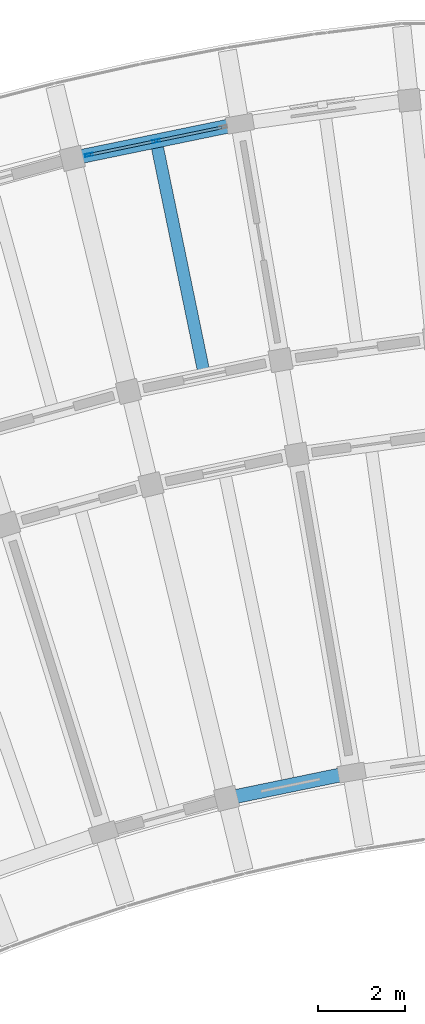
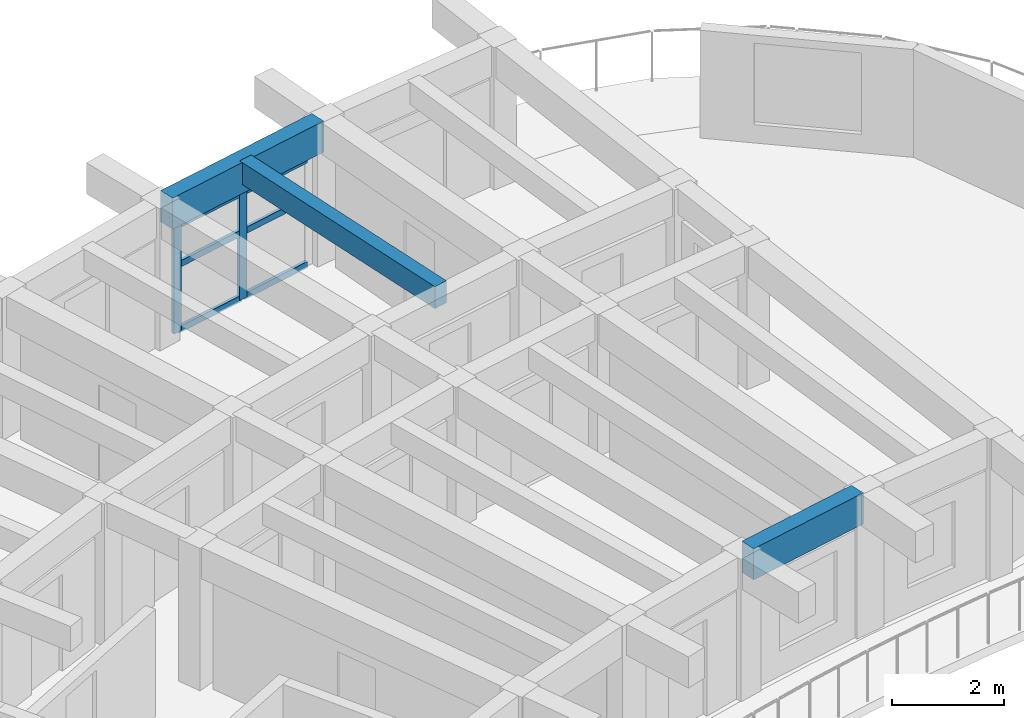
# One storey, part 16 of 83: 8 members, 3 beams, 1 element without a shape of its own.
"""IFC4 building model written with IfcOpenShell, lengths in metres."""

import ifcopenshell
import ifcopenshell.guid

model = None  # the IFC model being written
_history = None  # IfcOwnerHistory: only IFC2X3 demands one
_inside = {}  # id of a spatial element -> (the spatial element, [elements in it])
_under = {}  # id of a project, library or spatial element -> (it, [spatial elements below it])
_declared = {}  # id of a project -> (the project, [libraries it declares])
_typed = {}  # id of a type object -> (the type object, [elements of that type])
_made_of = {}  # id of a material, layer set ... -> (it, [elements and type objects made of it])


def new_model(schema):
    """Start an empty IFC model of exactly this schema.

    Asked for "IFC4X3", IfcOpenShell would pick the latest addendum, in which some entities
    have other attributes; the version numbers below select the first issue.
    IFC2X3 requires an IfcOwnerHistory on every rooted entity: one is made here for all.
    """
    global model, _history
    if schema == "IFC4X3":
        model = ifcopenshell.file(schema_version=(4, 3, 0, 0))
    else:
        model = ifcopenshell.file(schema=schema)
    _inside.clear()
    _under.clear()
    _declared.clear()
    _typed.clear()
    _made_of.clear()
    _history = None
    if model.schema == "IFC2X3":
        org = make("IfcOrganization", Name="unknown")
        user = make(
            "IfcPersonAndOrganization",
            ThePerson=make("IfcPerson", FamilyName="unknown"),
            TheOrganization=org,
        )
        app = make(
            "IfcApplication",
            ApplicationDeveloper=org,
            Version="unknown",
            ApplicationFullName="unknown",
            ApplicationIdentifier="unknown",
        )
        _history = make(
            "IfcOwnerHistory",
            OwningUser=user,
            OwningApplication=app,
            ChangeAction="ADDED",
            CreationDate=0,
        )
    return model


def make(cls, **values):
    """One entity of the class cls with the attributes given. An attribute that is None is left unset."""
    return model.create_entity(
        cls, **{name: value for name, value in values.items() if value is not None}
    )


def rooted(cls, **values):
    """An entity with a GlobalId (a new one), such as an element, a storey or a relation."""
    return make(cls, GlobalId=ifcopenshell.guid.new(), OwnerHistory=_history, **values)


def si_unit(unit_type, name, prefix=None):
    """IfcSIUnit, for example si_unit("LENGTHUNIT", "METRE", prefix="MILLI")."""
    return make("IfcSIUnit", UnitType=unit_type, Prefix=prefix, Name=name)


def assignment(units):
    """IfcUnitAssignment: the units of a project."""
    return None if units is None else make("IfcUnitAssignment", Units=units)


def point(xyz):
    """IfcCartesianPoint."""
    return None if xyz is None else make("IfcCartesianPoint", Coordinates=xyz)


def direction(xyz):
    """IfcDirection."""
    return None if xyz is None else make("IfcDirection", DirectionRatios=xyz)


def frame(location, z_axis=None, x_axis=None):
    """IfcAxis2Placement3D, a coordinate frame: its origin and axes. An axis left out is left unset."""
    return make(
        "IfcAxis2Placement3D",
        Location=point(location),
        Axis=direction(z_axis),
        RefDirection=direction(x_axis),
    )


def frame_2d(location, x_axis=None):
    """IfcAxis2Placement2D, a coordinate frame in the plane: its origin and x axis."""
    return make(
        "IfcAxis2Placement2D", Location=point(location), RefDirection=direction(x_axis)
    )


def origin():
    """The frame at (0, 0, 0) with its axes left unset."""
    return frame((0.0, 0.0, 0.0))


def origin_2d():
    """The frame at (0, 0) in the plane with its x axis left unset."""
    return frame_2d((0.0, 0.0))


def place(relative_to, where):
    """IfcLocalPlacement: puts the frame where relative to a parent placement (None: the world)."""
    return make(
        "IfcLocalPlacement", PlacementRelTo=relative_to, RelativePlacement=where
    )


def context(
    kind, dimensions, precision=None, world=None, true_north=None, identifier=None
):
    """IfcGeometricRepresentationContext, for example the 3D "Model" context."""
    return make(
        "IfcGeometricRepresentationContext",
        ContextIdentifier=identifier,
        ContextType=kind,
        CoordinateSpaceDimension=dimensions,
        Precision=precision,
        WorldCoordinateSystem=world,
        TrueNorth=true_north,
    )


def subcontext(parent, identifier, kind, view, scale=None):
    """IfcGeometricRepresentationSubContext, for example "Body" below "Model"."""
    return make(
        "IfcGeometricRepresentationSubContext",
        ContextIdentifier=identifier,
        ContextType=kind,
        ParentContext=parent,
        TargetScale=scale,
        TargetView=view,
    )


def project(units=None, contexts=None):
    """IfcProject with its units and contexts."""
    return rooted(
        "IfcProject",
        Name="project",
        RepresentationContexts=contexts,
        UnitsInContext=assignment(units),
    )


def spatial(cls, under=None, at=None, **own):
    """A site, building, storey or space (cls), placed at a placement, below another one or the project."""
    s = rooted(cls, ObjectPlacement=at, **own)
    if under is not None:
        _under.setdefault(under.id(), (under, []))[1].append(s)
    return s


def profile(cls, at=None, kind="AREA", **sizes):
    """A parametric profile (cls). Its sizes go by their IFC names, for example OverallWidth=200.0."""
    return make(cls, ProfileType=kind, Position=at, **sizes)


def rectangle(**sizes):
    """IfcRectangleProfileDef."""
    return profile("IfcRectangleProfileDef", **sizes)


def hollow_rectangle(**sizes):
    """IfcRectangleHollowProfileDef."""
    return profile("IfcRectangleHollowProfileDef", **sizes)


def extrude(swept, where, along, depth):
    """IfcExtrudedAreaSolid: the profile swept, set in the frame where, extruded along a direction by depth."""
    return make(
        "IfcExtrudedAreaSolid",
        SweptArea=swept,
        Position=where,
        ExtrudedDirection=direction(along),
        Depth=depth,
    )


def shape(context_of_items, identifier, shape_type, items):
    """IfcShapeRepresentation: the items that make up one representation, for example the "Body"."""
    return make(
        "IfcShapeRepresentation",
        ContextOfItems=context_of_items,
        RepresentationIdentifier=identifier,
        RepresentationType=shape_type,
        Items=items,
    )


def material(Name=None, Category=None):
    """IfcMaterial."""
    return make("IfcMaterial", Name=Name, Category=Category)


def material_profile(
    of_material, cross_section, Name=None, Category=None, Priority=None
):
    """IfcMaterialProfile: a cross section and its material."""
    return make(
        "IfcMaterialProfile",
        Name=Name,
        Material=of_material,
        Profile=cross_section,
        Priority=Priority,
        Category=Category,
    )


def profile_set(profiles, Name=None, composite=None):
    """IfcMaterialProfileSet."""
    return make(
        "IfcMaterialProfileSet",
        Name=Name,
        MaterialProfiles=profiles,
        CompositeProfile=composite,
    )


def made_of(thing, what):
    """Note that an element or type object is made of a material, layer set ...; save() writes the relation."""
    if what is not None:
        _made_of.setdefault(what.id(), (what, []))[1].append(thing)
    return thing


def type_object(cls, material=None, **own):
    """A type object (cls), such as IfcWallType, which elements share."""
    return made_of(rooted(cls, **own), material)


def element(
    cls,
    number,
    at=None,
    inside=None,
    cuts=None,
    type_object=None,
    material=None,
    context=None,
    identifier="Body",
    shape_type=None,
    held_by="IfcProductDefinitionShape",
    body=None,
    shapes=None,
    **own,
):
    """One element of the class cls, such as IfcWall. Its Tag is "e" and its number.

    at: its placement. inside: the storey or other place that contains it. cuts: it is an
    opening in that element (IfcRelVoidsElement). A single representation is given by context,
    identifier, shape_type and body (its items); several are given by shapes. held_by: the class
    of the entity that holds the representations. save() writes the other relations.
    """
    e = rooted(cls, Tag="e%d" % number, ObjectPlacement=at, **own)
    if body is not None:
        shapes = [shape(context, identifier, shape_type, body)]
    if shapes is not None:
        e.Representation = make(held_by, Representations=shapes)
    if inside is not None:
        _inside.setdefault(inside.id(), (inside, []))[1].append(e)
    if cuts is not None:
        rooted(
            "IfcRelVoidsElement", RelatingBuildingElement=cuts, RelatedOpeningElement=e
        )
    if type_object is not None:
        _typed.setdefault(type_object.id(), (type_object, []))[1].append(e)
    return made_of(e, material)


def aggregate(whole, parts):
    """IfcRelAggregates: a whole, such as a stair, and the parts it consists of."""
    return rooted("IfcRelAggregates", RelatingObject=whole, RelatedObjects=parts)


def save(model, path):
    """Write the relations noted so far, then the file.

    IfcRelAggregates (storeys below a building ...), IfcRelContainedInSpatialStructure (elements
    in a storey), IfcRelDefinesByType, IfcRelAssociatesMaterial and IfcRelDeclares: one each for
    every whole, place, type object, material and project.
    """
    for whole, parts in _under.values():
        aggregate(whole, parts)
    for where, things in _inside.values():
        rooted(
            "IfcRelContainedInSpatialStructure",
            RelatedElements=things,
            RelatingStructure=where,
        )
    for kind, things in _typed.values():
        rooted("IfcRelDefinesByType", RelatedObjects=things, RelatingType=kind)
    for what, things in _made_of.values():
        rooted("IfcRelAssociatesMaterial", RelatedObjects=things, RelatingMaterial=what)
    for by, libraries in _declared.values():
        rooted("IfcRelDeclares", RelatingContext=by, RelatedDefinitions=libraries)
    model.write(path)


model = new_model("IFC4")

# Units and contexts
model_context = context("Model", 3, precision=1e-05, world=origin(), true_north=direction((0.0, 1.0)))
body_context = subcontext(model_context, "Body", "Model", "MODEL_VIEW")
ifc_project = project(units=[si_unit("LENGTHUNIT", "METRE"), si_unit("AREAUNIT", "SQUARE_METRE"), si_unit("VOLUMEUNIT", "CUBIC_METRE"), si_unit("PLANEANGLEUNIT", "RADIAN"), si_unit("MASSUNIT", "GRAM", prefix="KILO")], contexts=[model_context])

# Site, building, storey
site_placement = place(None, origin())
site = spatial("IfcSite", under=ifc_project, at=site_placement, CompositionType="ELEMENT")
building_placement = place(site_placement, origin())
building = spatial("IfcBuilding", under=site, at=building_placement, Name="Tanwirah Colonnade Gardens", CompositionType="ELEMENT")
storey_placement = place(building_placement, frame((0.0, 0.0, 25.639892578125)))
storey = spatial("IfcBuildingStorey", under=building, at=storey_placement, Name="L07", CompositionType="ELEMENT", Elevation=25.639892578125)

# Curtain wall, members
ifc_material_1 = material(Name="Bronze-anodised aluminium and solar-control low-E glass", Category="aluminium")
curtain_wall_type = type_object("IfcCurtainWallType", Name="CW-LOB", PredefinedType="NOTDEFINED", material=ifc_material_1)
curtain_wall_placement = place(storey_placement, origin())
curtain_wall = element("IfcCurtainWall", 1, at=curtain_wall_placement, inside=storey, type_object=curtain_wall_type, Name="Curtain Wall CW-A-L07-OUT-01", PredefinedType="NOTDEFINED")
ifc_material_2 = material(Name="Bronze-anodised aluminium", Category="aluminium")
ifc_material_profile_1 = material_profile(ifc_material_2, hollow_rectangle(XDim=0.06494140625, YDim=0.179931640625, WallThickness=0.00390625, at=origin_2d()), Name="CW-MUL 65x180x4")
ifc_profile_set_1 = profile_set([ifc_material_profile_1], Name="Bronze-anodised aluminium")
member_type_1 = type_object("IfcMemberType", Name="CWM-65x180", PredefinedType="MULLION", material=ifc_profile_set_1)
member_1_placement = place(storey_placement, frame((52.964599609375, 118.488037109375, 0.0), z_axis=(0.0, 0.0, 1.0), x_axis=(0.202218047772, -0.979340523595, 0.0)))
member_1 = element("IfcMember", 2, at=member_1_placement, type_object=member_type_1, Name="CW-LOB mullion 2", PredefinedType="MULLION", context=body_context, shape_type="SweptSolid", body=[
    extrude(hollow_rectangle(XDim=0.06494140625, YDim=0.179931640625, WallThickness=0.00390625, at=origin_2d()), origin(), (0.0, 0.0, 1.0), 2.355224609375),
])
member_2_placement = place(storey_placement, frame((51.426513671875, 118.17041015625, 0.0), z_axis=(0.0, 0.0, 1.0), x_axis=(0.202218047772, -0.979340523595, 0.0)))
member_2 = element("IfcMember", 3, at=member_2_placement, type_object=member_type_1, Name="CW-LOB mullion 3", PredefinedType="MULLION", context=body_context, shape_type="SweptSolid", body=[
    extrude(hollow_rectangle(XDim=0.06494140625, YDim=0.179931640625, WallThickness=0.00390625, at=origin_2d()), origin(), (0.0, 0.0, 1.0), 2.355224609375),
])
ifc_material_profile_2 = material_profile(ifc_material_2, hollow_rectangle(XDim=0.06494140625, YDim=0.135009765625, WallThickness=0.00390625, at=origin_2d()), Name="CW-TRN 65x135x4")
ifc_profile_set_2 = profile_set([ifc_material_profile_2], Name="Bronze-anodised aluminium")
member_type_2 = type_object("IfcMemberType", Name="CWT-65x135", PredefinedType="USERDEFINED", material=ifc_profile_set_2)
member_3_placement = place(storey_placement, frame((54.470458984375, 118.799072265625, 0.03271484375), z_axis=(-0.97933248515, -0.202256973995, 0.0), x_axis=(0.202256973995, -0.97933248515, 0.0)))
member_3 = element("IfcMember", 4, at=member_3_placement, type_object=member_type_2, Name="CW-LOB transom 1.1", ObjectType="TRANSOM", PredefinedType="USERDEFINED", context=body_context, shape_type="SweptSolid", body=[
    extrude(hollow_rectangle(XDim=0.06494140625, YDim=0.135009765625, WallThickness=0.00390625, at=origin_2d()), origin(), (0.0, 0.0, 1.0), 1.505126953125),
])
member_4_placement = place(storey_placement, frame((54.470458984375, 118.799072265625, 1.460205078125), z_axis=(-0.97933248515, -0.202256973995, 0.0), x_axis=(0.202256973995, -0.97933248515, 0.0)))
member_4 = element("IfcMember", 5, at=member_4_placement, type_object=member_type_2, Name="CW-LOB transom 1.2", ObjectType="TRANSOM", PredefinedType="USERDEFINED", context=body_context, shape_type="SweptSolid", body=[
    extrude(hollow_rectangle(XDim=0.06494140625, YDim=0.135009765625, WallThickness=0.00390625, at=origin_2d()), origin(), (0.0, 0.0, 1.0), 1.505126953125),
])
member_5_placement = place(storey_placement, frame((54.470458984375, 118.799072265625, 2.322509765625), z_axis=(-0.97933248515, -0.202256973995, 0.0), x_axis=(0.202256973995, -0.97933248515, 0.0)))
member_5 = element("IfcMember", 6, at=member_5_placement, type_object=member_type_2, Name="CW-LOB transom 1.3", ObjectType="TRANSOM", PredefinedType="USERDEFINED", context=body_context, shape_type="SweptSolid", body=[
    extrude(hollow_rectangle(XDim=0.06494140625, YDim=0.135009765625, WallThickness=0.00390625, at=origin_2d()), origin(), (0.0, 0.0, 1.0), 1.505126953125),
])
member_6_placement = place(storey_placement, frame((52.9326171875, 118.4814453125, 0.03271484375), z_axis=(-0.97933248515, -0.202256973995, 0.0), x_axis=(0.202256973995, -0.97933248515, 0.0)))
member_6 = element("IfcMember", 7, at=member_6_placement, type_object=member_type_2, Name="CW-LOB transom 2.1", ObjectType="TRANSOM", PredefinedType="USERDEFINED", context=body_context, shape_type="SweptSolid", body=[
    extrude(hollow_rectangle(XDim=0.06494140625, YDim=0.135009765625, WallThickness=0.00390625, at=origin_2d()), origin(), (0.0, 0.0, 1.0), 1.505126953125),
])
member_7_placement = place(storey_placement, frame((52.9326171875, 118.4814453125, 1.460205078125), z_axis=(-0.97933248515, -0.202256973995, 0.0), x_axis=(0.202256973995, -0.97933248515, 0.0)))
member_7 = element("IfcMember", 8, at=member_7_placement, type_object=member_type_2, Name="CW-LOB transom 2.2", ObjectType="TRANSOM", PredefinedType="USERDEFINED", context=body_context, shape_type="SweptSolid", body=[
    extrude(hollow_rectangle(XDim=0.06494140625, YDim=0.135009765625, WallThickness=0.00390625, at=origin_2d()), origin(), (0.0, 0.0, 1.0), 1.505126953125),
])
member_8_placement = place(storey_placement, frame((52.9326171875, 118.4814453125, 2.322509765625), z_axis=(-0.97933248515, -0.202256973995, 0.0), x_axis=(0.202256973995, -0.97933248515, 0.0)))
member_8 = element("IfcMember", 9, at=member_8_placement, type_object=member_type_2, Name="CW-LOB transom 2.3", ObjectType="TRANSOM", PredefinedType="USERDEFINED", context=body_context, shape_type="SweptSolid", body=[
    extrude(hollow_rectangle(XDim=0.06494140625, YDim=0.135009765625, WallThickness=0.00390625, at=origin_2d()), origin(), (0.0, 0.0, 1.0), 1.505126953125),
])
aggregate(curtain_wall, [member_1, member_2, member_3, member_4, member_5, member_6, member_7, member_8])

# Beams
ifc_material_3 = material(Name="Precast concrete C40/50", Category="concrete")
ifc_material_profile_3 = material_profile(ifc_material_3, rectangle(XDim=0.280029296875, YDim=0.47998046875, at=origin_2d()), Name="PC-JST 280x480")
ifc_profile_set_3 = profile_set([ifc_material_profile_3], Name="Precast concrete C40/50")
beam_type_1 = type_object("IfcBeamType", Name="JST-PC280", PredefinedType="JOIST", material=ifc_profile_set_3)
beam_1_placement = place(storey_placement, frame((54.0458984375, 113.2509765625, 2.8701171875), z_axis=(-0.202235688429, 0.979336880918, 0.0), x_axis=(-0.979336880918, -0.202235688429, 0.0)))
element("IfcBeam", 10, at=beam_1_placement, inside=storey, type_object=beam_type_1, Name="Block A L07 Precast Floor Joist 1", PredefinedType="JOIST", context=body_context, shape_type="SweptSolid", body=[
    extrude(rectangle(XDim=0.280029296875, YDim=0.47998046875, at=origin_2d()), origin(), (0.0, 0.0, 1.0), 5.259765625),
])
ifc_material_4 = material(Name="Precast concrete C45/55", Category="concrete")
ifc_material_profile_4 = material_profile(ifc_material_4, rectangle(XDim=0.320068359375, YDim=0.679931640625, at=origin_2d()), Name="PC-SP 320x680")
ifc_profile_set_4 = profile_set([ifc_material_profile_4], Name="Precast concrete C45/55")
beam_type_2 = type_object("IfcBeamType", Name="SP-PC320", PredefinedType="SPANDREL", material=ifc_profile_set_4)
beam_2_placement = place(storey_placement, frame((57.30419921875, 103.973876953125, 2.77001953125), z_axis=(-0.979351764611, -0.202163599974, 0.0), x_axis=(0.202163599974, -0.979351764611, 0.0)))
element("IfcBeam", 11, at=beam_2_placement, inside=storey, type_object=beam_type_2, Name="Block A L07 Circumferential Beam 1-R0", PredefinedType="SPANDREL", context=body_context, shape_type="SweptSolid", body=[
    extrude(rectangle(XDim=0.320068359375, YDim=0.679931640625, at=origin_2d()), origin(), (0.0, 0.0, 1.0), 2.630126953125),
])
beam_3_placement = place(storey_placement, frame((54.739990234375, 118.854736328125, 2.77001953125), z_axis=(-0.979328544205, -0.202276055197, 0.0), x_axis=(0.202276055197, -0.979328544205, 0.0)))
element("IfcBeam", 12, at=beam_3_placement, inside=storey, type_object=beam_type_2, Name="Block A L07 Circumferential Beam 1-R3", PredefinedType="SPANDREL", context=body_context, shape_type="SweptSolid", body=[
    extrude(rectangle(XDim=0.320068359375, YDim=0.679931640625, at=origin_2d()), origin(), (0.0, 0.0, 1.0), 3.625732421875),
])

save(model, "model.ifc")
